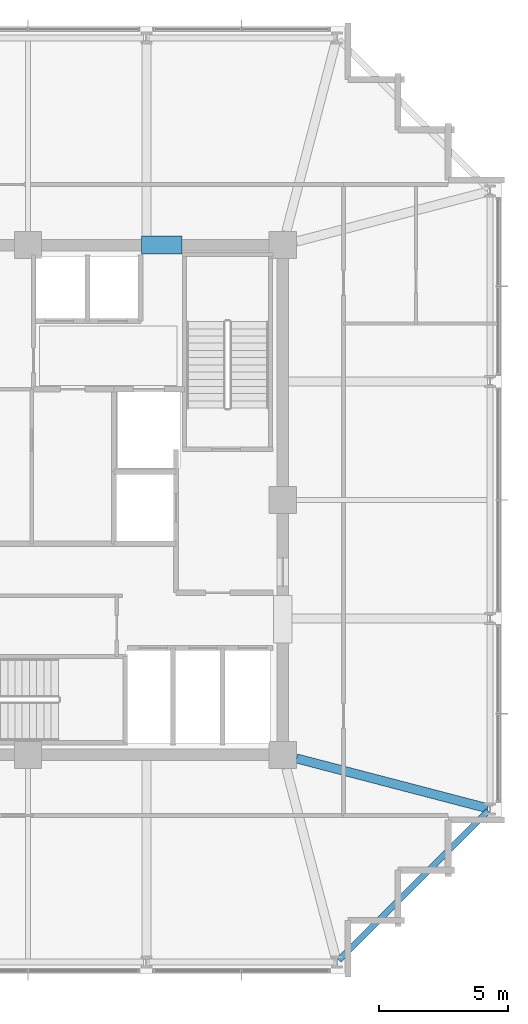
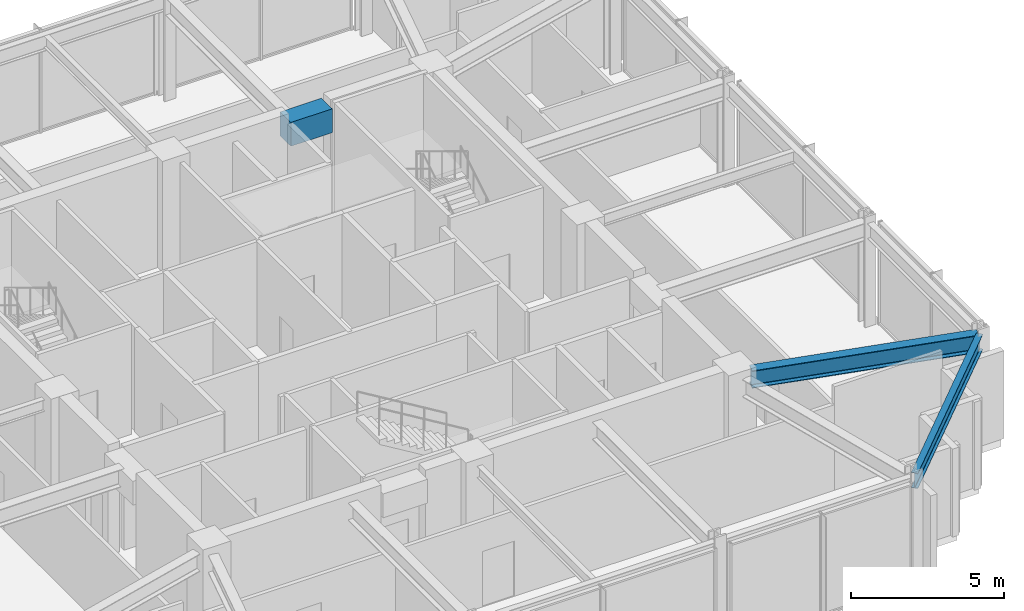
# One storey, part 10 of 26: 3 beams.
"""IFC4 building model written with IfcOpenShell, lengths in metres."""

from ifc_helpers import new_model, si_unit, direction, frame, origin, origin_2d, place, context, subcontext, project, spatial, rectangle, i_section, extrude, material, material_profile, profile_set, type_object, element, save


model = new_model("IFC4")

# Units and contexts
model_context = context("Model", 3, precision=1e-05, world=origin(), true_north=direction((0.0, 1.0)))
body_context = subcontext(model_context, "Body", "Model", "MODEL_VIEW")
ifc_project = project(units=[si_unit("LENGTHUNIT", "METRE"), si_unit("AREAUNIT", "SQUARE_METRE"), si_unit("VOLUMEUNIT", "CUBIC_METRE"), si_unit("PLANEANGLEUNIT", "RADIAN"), si_unit("MASSUNIT", "GRAM", prefix="KILO")], contexts=[model_context])

# Site, building, storey
site_placement = place(None, origin())
site = spatial("IfcSite", under=ifc_project, at=site_placement, CompositionType="ELEMENT")
building_placement = place(site_placement, origin())
building = spatial("IfcBuilding", under=site, at=building_placement, Name="Kolvaren Belvedere", CompositionType="ELEMENT")
storey_placement = place(building_placement, frame((0.0, 0.0, 258.39990234375)))
storey = spatial("IfcBuildingStorey", under=building, at=storey_placement, Name="L75", CompositionType="ELEMENT", Elevation=258.39990234375)

# Beams
ifc_material_1 = material(Name="Structural steel ASTM A992 Grade 50", Category="steel")
ifc_material_profile_1 = material_profile(ifc_material_1, i_section(OverallWidth=0.35498046875, OverallDepth=0.696044921875, WebThickness=0.015380859375, FlangeThickness=0.02490234375, FilletRadius=0.02197265625, at=origin_2d()), Name="W27X146")
ifc_profile_set_1 = profile_set([ifc_material_profile_1], Name="Structural steel ASTM A992 Grade 50")
beam_type_1 = type_object("IfcBeamType", Name="BM-GIRD-W27X146", PredefinedType="BEAM", material=ifc_profile_set_1)
beam_1_placement = place(storey_placement, frame((10.43212890625, -10.038818359375, 3.772216796875), z_axis=(0.967616934661, -0.252423191796, 0.0), x_axis=(0.252423191796, 0.967616934661, 0.0)))
element("IfcBeam", 1, at=beam_1_placement, inside=storey, type_object=beam_type_1, Name="L75 Corner Core-to-Perimeter Girder CC2-E1", PredefinedType="BEAM", context=body_context, shape_type="SweptSolid", body=[
    extrude(i_section(OverallWidth=0.35498046875, OverallDepth=0.696044921875, WebThickness=0.015380859375, FlangeThickness=0.02490234375, FilletRadius=0.02197265625, at=origin_2d()), origin(), (0.0, 0.0, 1.0), 7.676513671875),
])
ifc_material_2 = material(Name="Concrete C60/75", Category="concrete")
ifc_material_profile_2 = material_profile(ifc_material_2, rectangle(XDim=0.699951171875, YDim=0.949951171875, at=origin_2d()), Name="RC 700X950")
ifc_profile_set_2 = profile_set([ifc_material_profile_2], Name="Concrete C60/75")
beam_type_2 = type_object("IfcBeamType", Name="BM-LINT-950", PredefinedType="LINTEL", material=ifc_profile_set_2)
beam_2_placement = place(storey_placement, frame((4.419921875, 9.89990234375, 3.64501953125), z_axis=(1.0, 0.0, 0.0), x_axis=(0.0, 1.0, 0.0)))
element("IfcBeam", 2, at=beam_2_placement, inside=storey, type_object=beam_type_2, Name="L75 North Core Coupling Lintel", PredefinedType="LINTEL", context=body_context, shape_type="SweptSolid", body=[
    extrude(rectangle(XDim=0.699951171875, YDim=0.949951171875, at=origin_2d()), origin(), (0.0, 0.0, 1.0), 1.56005859375),
])
ifc_material_3 = material(Name="Structural steel ASTM A992 Grade 50", Category="steel")
ifc_material_profile_3 = material_profile(ifc_material_3, i_section(OverallWidth=0.22900390625, OverallDepth=0.612060546875, WebThickness=0.011962890625, FlangeThickness=0.01953125, FilletRadius=0.01806640625, at=origin_2d()), Name="W24X84")
ifc_profile_set_3 = profile_set([ifc_material_profile_3], Name="Structural steel ASTM A992 Grade 50")
beam_type_3 = type_object("IfcBeamType", Name="BM-SPAN-W24X84", PredefinedType="SPANDREL", material=ifc_profile_set_3)
beam_3_placement = place(storey_placement, frame((12.073974609375, -17.8759765625, 3.814208984375), z_axis=(0.707106781187, 0.707106781187, 0.0), x_axis=(-0.707106781187, 0.707106781187, 0.0)))
element("IfcBeam", 3, at=beam_3_placement, inside=storey, type_object=beam_type_3, Name="L75 Perimeter Spandrel S4-E1", PredefinedType="SPANDREL", context=body_context, shape_type="SweptSolid", body=[
    extrude(i_section(OverallWidth=0.22900390625, OverallDepth=0.612060546875, WebThickness=0.011962890625, FlangeThickness=0.01953125, FilletRadius=0.01806640625, at=origin_2d()), origin(), (0.0, 0.0, 1.0), 8.205322265625),
])

save(model, "model.ifc")
